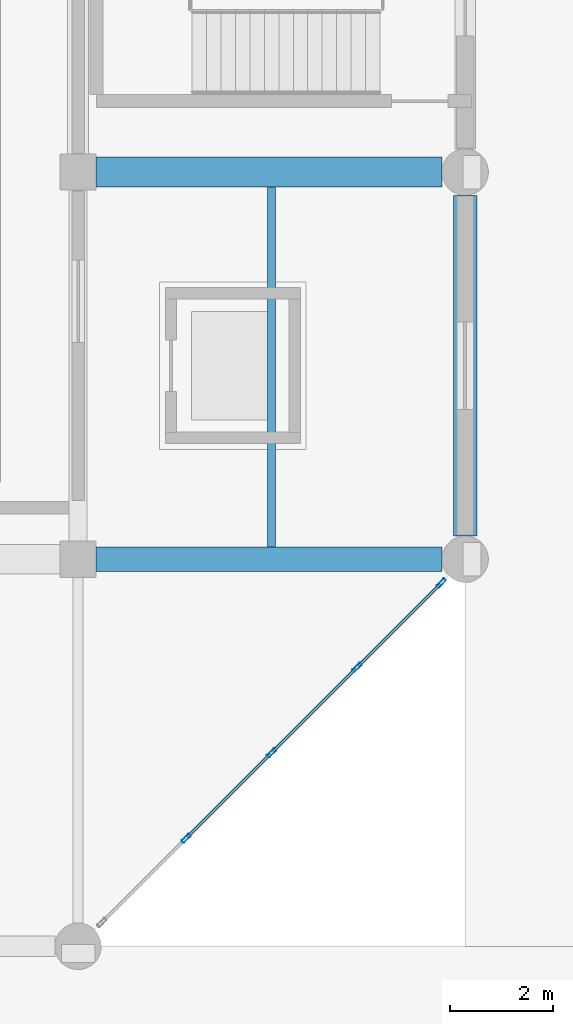
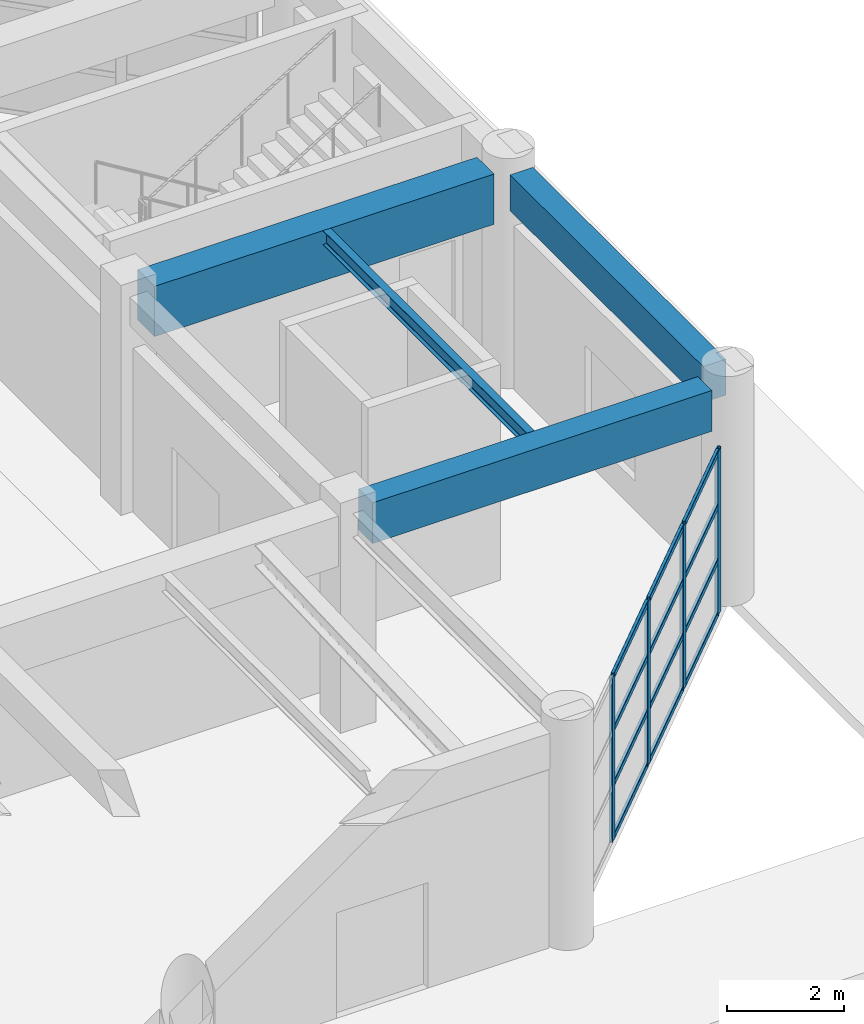
# One storey, part 58 of 122: 16 members, 4 beams, 1 element without a shape of its own.
"""IFC4 building model written with IfcOpenShell, lengths in metres."""

from ifc_helpers import new_model, si_unit, direction, frame, origin, origin_2d, place, context, subcontext, project, spatial, rectangle, hollow_rectangle, i_section, extrude, material, material_profile, profile_set, type_object, element, aggregate, save


model = new_model("IFC4")

# Units and contexts
model_context = context("Model", 3, precision=1e-05, world=origin(), true_north=direction((0.0, 1.0)))
body_context = subcontext(model_context, "Body", "Model", "MODEL_VIEW")
ifc_project = project(units=[si_unit("LENGTHUNIT", "METRE"), si_unit("AREAUNIT", "SQUARE_METRE"), si_unit("VOLUMEUNIT", "CUBIC_METRE"), si_unit("PLANEANGLEUNIT", "RADIAN"), si_unit("MASSUNIT", "GRAM", prefix="KILO")], contexts=[model_context])

# Site, building, storey
site_placement = place(None, origin())
site = spatial("IfcSite", under=ifc_project, at=site_placement, CompositionType="ELEMENT")
building_placement = place(site_placement, origin())
building = spatial("IfcBuilding", under=site, at=building_placement, Name="Qasida Concert Hall", CompositionType="ELEMENT")
storey_placement = place(building_placement, origin())
storey = spatial("IfcBuildingStorey", under=building, at=storey_placement, Name="L00", CompositionType="ELEMENT", Elevation=0.0)

# Beams
ifc_material_1 = material(Name="Concrete C40/50", Category="concrete")
ifc_material_profile_1 = material_profile(ifc_material_1, rectangle(XDim=0.47998046875, YDim=0.85009765625, at=origin_2d()), Name="RC 480x850")
ifc_profile_set_1 = profile_set([ifc_material_profile_1], Name="Concrete C40/50")
beam_type_1 = type_object("IfcBeamType", Name="BM-G6", PredefinedType="USERDEFINED", material=ifc_profile_set_1)
beam_1_placement = place(storey_placement, frame((157.85009765625, 7.5, 4.074951171875), z_axis=(1.0, 0.0, 0.0), x_axis=(0.0, 1.0, 0.0)))
element("IfcBeam", 1, at=beam_1_placement, inside=storey, type_object=beam_type_1, Name="Primary girder 0471", ObjectType="GIRDER", PredefinedType="USERDEFINED", context=body_context, shape_type="SweptSolid", body=[
    extrude(rectangle(XDim=0.47998046875, YDim=0.85009765625, at=origin_2d()), origin(), (0.0, 0.0, 1.0), 6.699951171875),
])
ifc_material_2 = material(Name="Concrete C50/60", Category="concrete")
ifc_material_profile_2 = material_profile(ifc_material_2, rectangle(XDim=0.580078125, YDim=1.050048828125, at=origin_2d()), Name="RC 580x1050")
ifc_profile_set_2 = profile_set([ifc_material_profile_2], Name="Concrete C50/60")
beam_type_2 = type_object("IfcBeamType", Name="BM-G8", PredefinedType="USERDEFINED", material=ifc_profile_set_2)
beam_2_placement = place(storey_placement, frame((157.85009765625, 15.0, 3.97509765625), z_axis=(1.0, 0.0, 0.0), x_axis=(0.0, 1.0, 0.0)))
element("IfcBeam", 2, at=beam_2_placement, inside=storey, type_object=beam_type_2, Name="Primary girder 0473", ObjectType="GIRDER", PredefinedType="USERDEFINED", context=body_context, shape_type="SweptSolid", body=[
    extrude(rectangle(XDim=0.580078125, YDim=1.050048828125, at=origin_2d()), origin(), (0.0, 0.0, 1.0), 6.699951171875),
])
ifc_material_3 = material(Name="Steel S355J2", Category="steel")
ifc_material_profile_3 = material_profile(ifc_material_3, i_section(OverallWidth=0.14990234375, OverallDepth=0.300048828125, WebThickness=0.007080078125, FlangeThickness=0.0107421875, FilletRadius=0.014892578125, at=origin_2d()), Name="IPE 300")
ifc_profile_set_3 = profile_set([ifc_material_profile_3], Name="Steel S355J2")
beam_type_3 = type_object("IfcBeamType", Name="BM-J4", PredefinedType="JOIST", material=ifc_profile_set_3)
beam_3_placement = place(storey_placement, frame((161.25, 7.739990234375, 4.35009765625), z_axis=(0.0, 1.0, 0.0), x_axis=(-1.0, 0.0, 0.0)))
element("IfcBeam", 3, at=beam_3_placement, inside=storey, type_object=beam_type_3, Name="L00 secondary joist 0507", PredefinedType="JOIST", context=body_context, shape_type="SweptSolid", body=[
    extrude(i_section(OverallWidth=0.14990234375, OverallDepth=0.300048828125, WebThickness=0.007080078125, FlangeThickness=0.0107421875, FilletRadius=0.014892578125, at=origin_2d()), origin(), (0.0, 0.0, 1.0), 6.969970703125),
])
ifc_material_profile_4 = material_profile(ifc_material_1, rectangle(XDim=0.449951171875, YDim=0.75, at=origin_2d()), Name="RC 450x750")
ifc_profile_set_4 = profile_set([ifc_material_profile_4], Name="Concrete C40/50")
beam_type_4 = type_object("IfcBeamType", Name="BM-SP4", PredefinedType="SPANDREL", material=ifc_profile_set_4)
beam_4_placement = place(storey_placement, frame((165.0, 7.949951171875, 4.125), z_axis=(0.0, 1.0, 0.0), x_axis=(-1.0, 0.0, 0.0)))
element("IfcBeam", 4, at=beam_4_placement, inside=storey, type_object=beam_type_4, Name="L00 girder 0498", PredefinedType="SPANDREL", context=body_context, shape_type="SweptSolid", body=[
    extrude(rectangle(XDim=0.449951171875, YDim=0.75, at=origin_2d()), origin(), (0.0, 0.0, 1.0), 6.60009765625),
])

# Curtain wall, members
ifc_material_4 = material(Name="Architectural bronze-anodized aluminium and low-E glass", Category="aluminium")
curtain_wall_type = type_object("IfcCurtainWallType", Name="CW-07", PredefinedType="NOTDEFINED", material=ifc_material_4)
curtain_wall_placement = place(storey_placement, origin())
curtain_wall = element("IfcCurtainWall", 5, at=curtain_wall_placement, inside=storey, type_object=curtain_wall_type, Name="L00 curtain wall CW-07 0139", PredefinedType="NOTDEFINED")
ifc_material_5 = material(Name="Architectural bronze-anodized aluminium EN AW-6063", Category="aluminium")
ifc_material_profile_5 = material_profile(ifc_material_5, hollow_rectangle(XDim=0.06494140625, YDim=0.199951171875, WallThickness=0.0048828125, InnerFilletRadius=0.0048828125, OuterFilletRadius=0.010009765625, at=origin_2d()), Name="CWM 200x65x5")
ifc_profile_set_5 = profile_set([ifc_material_profile_5], Name="Architectural bronze-anodized aluminium EN AW-6063")
member_type_1 = type_object("IfcMemberType", Name="MB-CWM-2", PredefinedType="MULLION", material=ifc_profile_set_5)
member_1_placement = place(storey_placement, frame((159.59423828125, 2.09423828125, 0.0), z_axis=(0.0, 0.0, 1.0), x_axis=(-0.707106781187, 0.707106781187, 0.0)))
member_1 = element("IfcMember", 6, at=member_1_placement, type_object=member_type_1, Name="CW-07 mullion 2", PredefinedType="MULLION", context=body_context, shape_type="SweptSolid", body=[
    extrude(hollow_rectangle(XDim=0.06494140625, YDim=0.199951171875, WallThickness=0.0048828125, InnerFilletRadius=0.0048828125, OuterFilletRadius=0.010009765625, at=origin_2d()), origin(), (0.0, 0.0, 1.0), 3.419921875),
])
member_2_placement = place(storey_placement, frame((161.25, 3.75, 0.0), z_axis=(0.0, 0.0, 1.0), x_axis=(-0.707106781187, 0.707106781187, 0.0)))
member_2 = element("IfcMember", 7, at=member_2_placement, type_object=member_type_1, Name="CW-07 mullion 3", PredefinedType="MULLION", context=body_context, shape_type="SweptSolid", body=[
    extrude(hollow_rectangle(XDim=0.06494140625, YDim=0.199951171875, WallThickness=0.0048828125, InnerFilletRadius=0.0048828125, OuterFilletRadius=0.010009765625, at=origin_2d()), origin(), (0.0, 0.0, 1.0), 3.419921875),
])
member_3_placement = place(storey_placement, frame((162.90576171875, 5.40576171875, 0.0), z_axis=(0.0, 0.0, 1.0), x_axis=(-0.707106781187, 0.707106781187, 0.0)))
member_3 = element("IfcMember", 8, at=member_3_placement, type_object=member_type_1, Name="CW-07 mullion 4", PredefinedType="MULLION", context=body_context, shape_type="SweptSolid", body=[
    extrude(hollow_rectangle(XDim=0.06494140625, YDim=0.199951171875, WallThickness=0.0048828125, InnerFilletRadius=0.0048828125, OuterFilletRadius=0.010009765625, at=origin_2d()), origin(), (0.0, 0.0, 1.0), 3.419921875),
])
member_4_placement = place(storey_placement, frame((164.53857421875, 7.03857421875, 0.0), z_axis=(0.0, 0.0, 1.0), x_axis=(-0.707106781187, 0.707106781187, 0.0)))
member_4 = element("IfcMember", 9, at=member_4_placement, type_object=member_type_1, Name="CW-07 mullion 5", PredefinedType="MULLION", context=body_context, shape_type="SweptSolid", body=[
    extrude(hollow_rectangle(XDim=0.06494140625, YDim=0.199951171875, WallThickness=0.0048828125, InnerFilletRadius=0.0048828125, OuterFilletRadius=0.010009765625, at=origin_2d()), origin(), (0.0, 0.0, 1.0), 3.419921875),
])
ifc_material_profile_6 = material_profile(ifc_material_5, hollow_rectangle(XDim=0.06005859375, YDim=0.1201171875, WallThickness=0.00390625, InnerFilletRadius=0.00390625, OuterFilletRadius=0.008056640625, at=origin_2d()), Name="CWT 120x60x4")
ifc_profile_set_6 = profile_set([ifc_material_profile_6], Name="Architectural bronze-anodized aluminium EN AW-6063")
member_type_2 = type_object("IfcMemberType", Name="MB-CWT-2", PredefinedType="USERDEFINED", material=ifc_profile_set_6)
member_5_placement = place(storey_placement, frame((159.6171875, 2.1171875, 0.030029296875), z_axis=(0.707106781187, 0.707106781187, 0.0), x_axis=(-0.707106781187, 0.707106781187, 0.0)))
member_5 = element("IfcMember", 10, at=member_5_placement, type_object=member_type_2, Name="CW-07 transom 2.1", ObjectType="TRANSOM", PredefinedType="USERDEFINED", context=body_context, shape_type="SweptSolid", body=[
    extrude(hollow_rectangle(XDim=0.06005859375, YDim=0.1201171875, WallThickness=0.00390625, InnerFilletRadius=0.00390625, OuterFilletRadius=0.008056640625, at=origin_2d()), origin(), (0.0, 0.0, 1.0), 2.276611328125),
])
member_6_placement = place(storey_placement, frame((159.6171875, 2.1171875, 1.139892578125), z_axis=(0.707106781187, 0.707106781187, 0.0), x_axis=(-0.707106781187, 0.707106781187, 0.0)))
member_6 = element("IfcMember", 11, at=member_6_placement, type_object=member_type_2, Name="CW-07 transom 2.2", ObjectType="TRANSOM", PredefinedType="USERDEFINED", context=body_context, shape_type="SweptSolid", body=[
    extrude(hollow_rectangle(XDim=0.06005859375, YDim=0.1201171875, WallThickness=0.00390625, InnerFilletRadius=0.00390625, OuterFilletRadius=0.008056640625, at=origin_2d()), origin(), (0.0, 0.0, 1.0), 2.276611328125),
])
member_7_placement = place(storey_placement, frame((159.6171875, 2.1171875, 2.280029296875), z_axis=(0.707106781187, 0.707106781187, 0.0), x_axis=(-0.707106781187, 0.707106781187, 0.0)))
member_7 = element("IfcMember", 12, at=member_7_placement, type_object=member_type_2, Name="CW-07 transom 2.3", ObjectType="TRANSOM", PredefinedType="USERDEFINED", context=body_context, shape_type="SweptSolid", body=[
    extrude(hollow_rectangle(XDim=0.06005859375, YDim=0.1201171875, WallThickness=0.00390625, InnerFilletRadius=0.00390625, OuterFilletRadius=0.008056640625, at=origin_2d()), origin(), (0.0, 0.0, 1.0), 2.276611328125),
])
member_8_placement = place(storey_placement, frame((159.6171875, 2.1171875, 3.389892578125), z_axis=(0.707106781187, 0.707106781187, 0.0), x_axis=(-0.707106781187, 0.707106781187, 0.0)))
member_8 = element("IfcMember", 13, at=member_8_placement, type_object=member_type_2, Name="CW-07 transom 2.4", ObjectType="TRANSOM", PredefinedType="USERDEFINED", context=body_context, shape_type="SweptSolid", body=[
    extrude(hollow_rectangle(XDim=0.06005859375, YDim=0.1201171875, WallThickness=0.00390625, InnerFilletRadius=0.00390625, OuterFilletRadius=0.008056640625, at=origin_2d()), origin(), (0.0, 0.0, 1.0), 2.276611328125),
])
member_9_placement = place(storey_placement, frame((161.27294921875, 3.77294921875, 0.030029296875), z_axis=(0.707106781187, 0.707106781187, 0.0), x_axis=(-0.707106781187, 0.707106781187, 0.0)))
member_9 = element("IfcMember", 14, at=member_9_placement, type_object=member_type_2, Name="CW-07 transom 3.1", ObjectType="TRANSOM", PredefinedType="USERDEFINED", context=body_context, shape_type="SweptSolid", body=[
    extrude(hollow_rectangle(XDim=0.06005859375, YDim=0.1201171875, WallThickness=0.00390625, InnerFilletRadius=0.00390625, OuterFilletRadius=0.008056640625, at=origin_2d()), origin(), (0.0, 0.0, 1.0), 2.276611328125),
])
member_10_placement = place(storey_placement, frame((161.27294921875, 3.77294921875, 1.139892578125), z_axis=(0.707106781187, 0.707106781187, 0.0), x_axis=(-0.707106781187, 0.707106781187, 0.0)))
member_10 = element("IfcMember", 15, at=member_10_placement, type_object=member_type_2, Name="CW-07 transom 3.2", ObjectType="TRANSOM", PredefinedType="USERDEFINED", context=body_context, shape_type="SweptSolid", body=[
    extrude(hollow_rectangle(XDim=0.06005859375, YDim=0.1201171875, WallThickness=0.00390625, InnerFilletRadius=0.00390625, OuterFilletRadius=0.008056640625, at=origin_2d()), origin(), (0.0, 0.0, 1.0), 2.276611328125),
])
member_11_placement = place(storey_placement, frame((161.27294921875, 3.77294921875, 2.280029296875), z_axis=(0.707106781187, 0.707106781187, 0.0), x_axis=(-0.707106781187, 0.707106781187, 0.0)))
member_11 = element("IfcMember", 16, at=member_11_placement, type_object=member_type_2, Name="CW-07 transom 3.3", ObjectType="TRANSOM", PredefinedType="USERDEFINED", context=body_context, shape_type="SweptSolid", body=[
    extrude(hollow_rectangle(XDim=0.06005859375, YDim=0.1201171875, WallThickness=0.00390625, InnerFilletRadius=0.00390625, OuterFilletRadius=0.008056640625, at=origin_2d()), origin(), (0.0, 0.0, 1.0), 2.276611328125),
])
member_12_placement = place(storey_placement, frame((161.27294921875, 3.77294921875, 3.389892578125), z_axis=(0.707106781187, 0.707106781187, 0.0), x_axis=(-0.707106781187, 0.707106781187, 0.0)))
member_12 = element("IfcMember", 17, at=member_12_placement, type_object=member_type_2, Name="CW-07 transom 3.4", ObjectType="TRANSOM", PredefinedType="USERDEFINED", context=body_context, shape_type="SweptSolid", body=[
    extrude(hollow_rectangle(XDim=0.06005859375, YDim=0.1201171875, WallThickness=0.00390625, InnerFilletRadius=0.00390625, OuterFilletRadius=0.008056640625, at=origin_2d()), origin(), (0.0, 0.0, 1.0), 2.276611328125),
])
member_13_placement = place(storey_placement, frame((162.9287109375, 5.4287109375, 0.030029296875), z_axis=(0.707106781187, 0.707106781187, 0.0), x_axis=(-0.707106781187, 0.707106781187, 0.0)))
member_13 = element("IfcMember", 18, at=member_13_placement, type_object=member_type_2, Name="CW-07 transom 4.1", ObjectType="TRANSOM", PredefinedType="USERDEFINED", context=body_context, shape_type="SweptSolid", body=[
    extrude(hollow_rectangle(XDim=0.06005859375, YDim=0.1201171875, WallThickness=0.00390625, InnerFilletRadius=0.00390625, OuterFilletRadius=0.008056640625, at=origin_2d()), origin(), (0.0, 0.0, 1.0), 2.244140625),
])
member_14_placement = place(storey_placement, frame((162.9287109375, 5.4287109375, 1.139892578125), z_axis=(0.707106781187, 0.707106781187, 0.0), x_axis=(-0.707106781187, 0.707106781187, 0.0)))
member_14 = element("IfcMember", 19, at=member_14_placement, type_object=member_type_2, Name="CW-07 transom 4.2", ObjectType="TRANSOM", PredefinedType="USERDEFINED", context=body_context, shape_type="SweptSolid", body=[
    extrude(hollow_rectangle(XDim=0.06005859375, YDim=0.1201171875, WallThickness=0.00390625, InnerFilletRadius=0.00390625, OuterFilletRadius=0.008056640625, at=origin_2d()), origin(), (0.0, 0.0, 1.0), 2.244140625),
])
member_15_placement = place(storey_placement, frame((162.9287109375, 5.4287109375, 2.280029296875), z_axis=(0.707106781187, 0.707106781187, 0.0), x_axis=(-0.707106781187, 0.707106781187, 0.0)))
member_15 = element("IfcMember", 20, at=member_15_placement, type_object=member_type_2, Name="CW-07 transom 4.3", ObjectType="TRANSOM", PredefinedType="USERDEFINED", context=body_context, shape_type="SweptSolid", body=[
    extrude(hollow_rectangle(XDim=0.06005859375, YDim=0.1201171875, WallThickness=0.00390625, InnerFilletRadius=0.00390625, OuterFilletRadius=0.008056640625, at=origin_2d()), origin(), (0.0, 0.0, 1.0), 2.244140625),
])
member_16_placement = place(storey_placement, frame((162.9287109375, 5.4287109375, 3.389892578125), z_axis=(0.707106781187, 0.707106781187, 0.0), x_axis=(-0.707106781187, 0.707106781187, 0.0)))
member_16 = element("IfcMember", 21, at=member_16_placement, type_object=member_type_2, Name="CW-07 transom 4.4", ObjectType="TRANSOM", PredefinedType="USERDEFINED", context=body_context, shape_type="SweptSolid", body=[
    extrude(hollow_rectangle(XDim=0.06005859375, YDim=0.1201171875, WallThickness=0.00390625, InnerFilletRadius=0.00390625, OuterFilletRadius=0.008056640625, at=origin_2d()), origin(), (0.0, 0.0, 1.0), 2.244140625),
])
aggregate(curtain_wall, [member_1, member_2, member_3, member_4, member_5, member_6, member_7, member_8, member_9, member_10, member_11, member_12, member_13, member_14, member_15, member_16])

save(model, "model.ifc")
